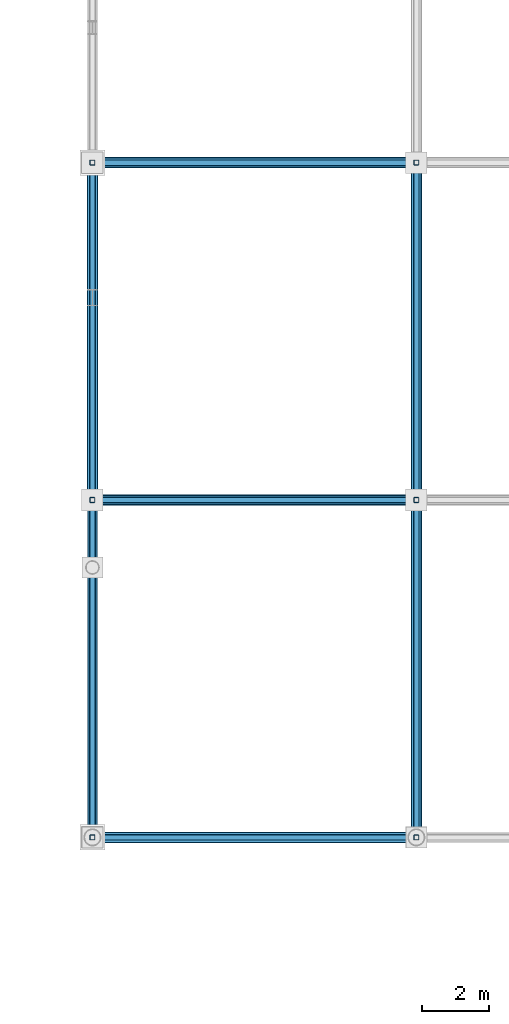
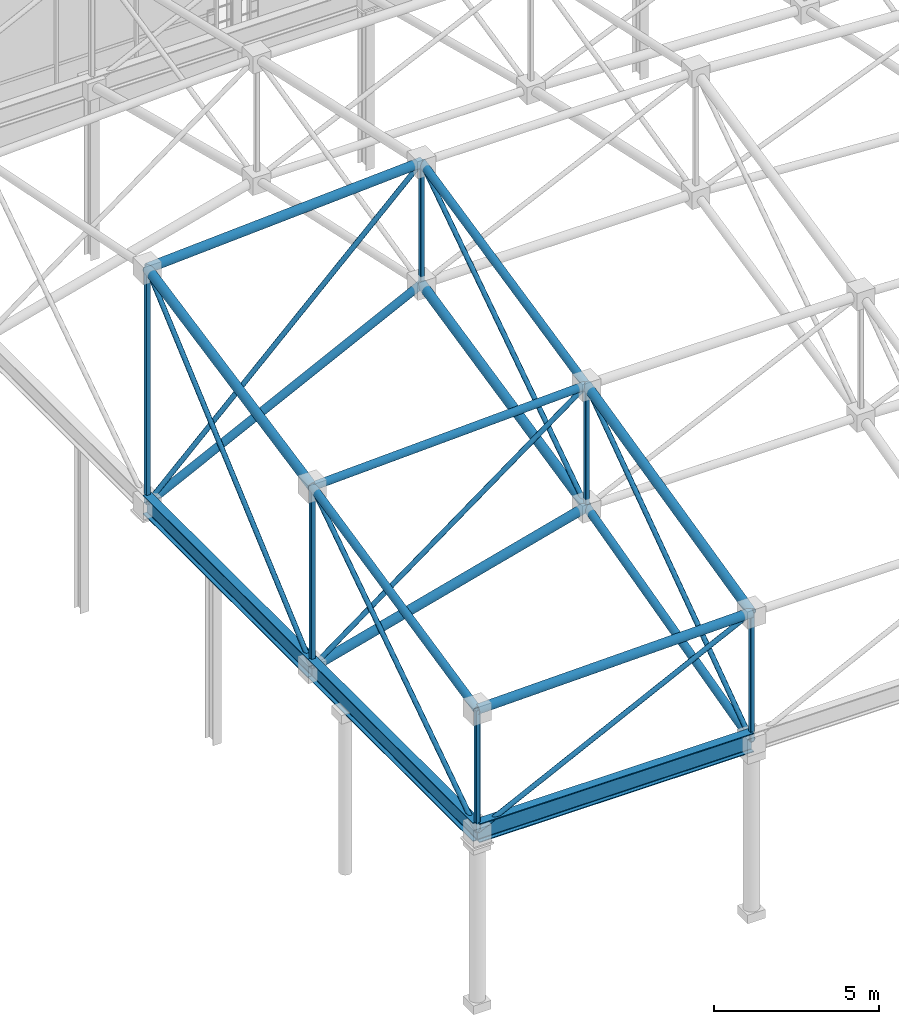
# One storey, part 77 of 193: 24 members, 3 beams.
"""IFC4 building model written with IfcOpenShell, lengths in metres."""

from ifc_helpers import new_model, si_unit, direction, frame, origin, origin_2d, place, context, subcontext, project, spatial, hollow_rectangle, hollow_circle, i_section, extrude, material, material_profile, profile_set, type_object, element, save


model = new_model("IFC4")

# Units and contexts
model_context = context("Model", 3, precision=1e-05, world=origin(), true_north=direction((0.0, 1.0)))
body_context = subcontext(model_context, "Body", "Model", "MODEL_VIEW")
ifc_project = project(units=[si_unit("LENGTHUNIT", "METRE"), si_unit("AREAUNIT", "SQUARE_METRE"), si_unit("VOLUMEUNIT", "CUBIC_METRE"), si_unit("PLANEANGLEUNIT", "RADIAN"), si_unit("MASSUNIT", "GRAM", prefix="KILO")], contexts=[model_context])

# Site, building, storey
site_placement = place(None, origin())
site = spatial("IfcSite", under=ifc_project, at=site_placement, CompositionType="ELEMENT")
building_placement = place(site_placement, origin())
building = spatial("IfcBuilding", under=site, at=building_placement, Name="Danafjord Basin Convention Centre", CompositionType="ELEMENT")
storey_placement = place(building_placement, frame((0.0, 0.0, 11.39990234375)))
storey = spatial("IfcBuildingStorey", under=building, at=storey_placement, Name="L02", CompositionType="ELEMENT", Elevation=11.39990234375)

# Beams
ifc_material = material(Name="Steel S355", Category="steel")
ifc_material_profile_1 = material_profile(ifc_material, i_section(OverallWidth=0.300048828125, OverallDepth=0.699951171875, WebThickness=0.01708984375, FlangeThickness=0.031982421875, FilletRadius=0.027099609375, at=origin_2d()), Name="HEB 700")
ifc_profile_set_1 = profile_set([ifc_material_profile_1], Name="Steel S355")
beam_type = type_object("IfcBeamType", Name="BEAM-BM-HEB700", PredefinedType="BEAM", material=ifc_profile_set_1)
beam_placement = place(storey_placement, frame((144.0, 40.0, 6.35009765625), z_axis=(1.0, 0.0, 0.0), x_axis=(0.0, 1.0, 0.0)))
element("IfcBeam", 1, at=beam_placement, inside=storey, type_object=beam_type, Name="V3 space-frame perimeter ring girder", PredefinedType="BEAM", context=body_context, shape_type="SweptSolid", body=[
    extrude(i_section(OverallWidth=0.300048828125, OverallDepth=0.699951171875, WebThickness=0.01708984375, FlangeThickness=0.031982421875, FilletRadius=0.027099609375, at=origin_2d()), origin(), (0.0, 0.0, 1.0), 9.60009765625),
])
for number, where, z_axis, x_axis, name in (
    (2, (144.0, 40.0, 6.35009765625), (0.0, 1.0, 0.0), (-1.0, 0.0, 0.0), "V3 space-frame perimeter ring girder"),
    (3, (144.0, 50.0, 6.35009765625), (0.0, 1.0, 0.0), (-1.0, 0.0, 0.0), "V3 space-frame perimeter ring girder"),
):
    element("IfcBeam", number, at=place(storey_placement, frame(where, z_axis=z_axis, x_axis=x_axis)), inside=storey, type_object=beam_type, Name=name, PredefinedType="BEAM", context=body_context, shape_type="SweptSolid", body=[
        extrude(i_section(OverallWidth=0.300048828125, OverallDepth=0.699951171875, WebThickness=0.01708984375, FlangeThickness=0.031982421875, FilletRadius=0.027099609375, at=origin_2d()), origin(), (0.0, 0.0, 1.0), 10.0),
    ])

# Members
ifc_material_profile_2 = material_profile(ifc_material, hollow_circle(Radius=0.136474609375, WallThickness=0.012451171875, at=origin_2d()), Name="CHS 273.0x12.5")
ifc_profile_set_2 = profile_set([ifc_material_profile_2], Name="Steel S355")
member_type_1 = type_object("IfcMemberType", Name="MEM-CH-CHS273", PredefinedType="CHORD", material=ifc_profile_set_2)
member_1_placement = place(storey_placement, frame((144.0, 40.0, 10.85009765625), z_axis=(0.0, 0.976969675801, 0.213378191399), x_axis=(-1.0, 0.0, 0.0)))
element("IfcMember", 4, at=member_1_placement, inside=storey, type_object=member_type_1, Name="V3 roof truss transverse top chord", PredefinedType="CHORD", context=body_context, shape_type="SweptSolid", body=[
    extrude(hollow_circle(Radius=0.136474609375, WallThickness=0.012451171875, at=origin_2d()), origin(), (0.0, 0.0, 1.0), 10.23583984375),
])
member_2_placement = place(storey_placement, frame((144.0, 50.0, 13.0341796875), z_axis=(0.999159728014, 0.0, 0.040985825779), x_axis=(0.0, 1.0, 0.0)))
element("IfcMember", 5, at=member_2_placement, inside=storey, type_object=member_type_1, Name="V3 roof truss longitudinal top chord", PredefinedType="CHORD", context=body_context, shape_type="SweptSolid", body=[
    extrude(hollow_circle(Radius=0.136474609375, WallThickness=0.012451171875, at=origin_2d()), origin(), (0.0, 0.0, 1.0), 9.608154296875),
])
member_3_placement = place(storey_placement, frame((144.0, 60.0, 6.35009765625), z_axis=(0.895826146443, 0.0, 0.444404675211), x_axis=(0.0, 1.0, 0.0)))
element("IfcMember", 6, at=member_3_placement, inside=storey, type_object=member_type_1, Name="V3 roof truss longitudinal bottom chord", PredefinedType="CHORD", context=body_context, shape_type="SweptSolid", body=[
    extrude(hollow_circle(Radius=0.136474609375, WallThickness=0.012451171875, at=origin_2d()), origin(), (0.0, 0.0, 1.0), 10.716552734375),
])
member_4_placement = place(storey_placement, frame((153.60009765625, 40.0, 6.35009765625), z_axis=(0.0, 0.968342056441, 0.249627045263), x_axis=(-1.0, 0.0, 0.0)))
element("IfcMember", 7, at=member_4_placement, inside=storey, type_object=member_type_1, Name="V3 roof truss transverse bottom chord", PredefinedType="CHORD", context=body_context, shape_type="SweptSolid", body=[
    extrude(hollow_circle(Radius=0.136474609375, WallThickness=0.012451171875, at=origin_2d()), origin(), (0.0, 0.0, 1.0), 10.326904296875),
])
member_5_placement = place(storey_placement, frame((153.60009765625, 50.0, 13.427978515625), z_axis=(0.0, 0.976959730358, 0.213423722345), x_axis=(-1.0, 0.0, 0.0)))
element("IfcMember", 8, at=member_5_placement, inside=storey, type_object=member_type_1, Name="V3 roof truss transverse top chord", PredefinedType="CHORD", context=body_context, shape_type="SweptSolid", body=[
    extrude(hollow_circle(Radius=0.136474609375, WallThickness=0.012451171875, at=origin_2d()), origin(), (0.0, 0.0, 1.0), 10.23583984375),
])
ifc_material_profile_3 = material_profile(ifc_material, hollow_circle(Radius=0.161865234375, WallThickness=0.01611328125, at=origin_2d()), Name="CHS 323.9x16.0")
ifc_profile_set_3 = profile_set([ifc_material_profile_3], Name="Steel S355")
member_type_2 = type_object("IfcMemberType", Name="MEM-CH-CHS324", PredefinedType="CHORD", material=ifc_profile_set_3)
member_6_placement = place(storey_placement, frame((144.0, 40.0, 10.85009765625), z_axis=(0.999725222215, 0.0, 0.023440991172), x_axis=(0.0, 1.0, 0.0)))
element("IfcMember", 9, at=member_6_placement, inside=storey, type_object=member_type_2, Name="V3 roof truss longitudinal top chord", PredefinedType="CHORD", context=body_context, shape_type="SweptSolid", body=[
    extrude(hollow_circle(Radius=0.161865234375, WallThickness=0.01611328125, at=origin_2d()), origin(), (0.0, 0.0, 1.0), 9.602783203125),
])
member_7_placement = place(storey_placement, frame((144.0, 50.0, 6.35009765625), z_axis=(0.965786291325, 0.0, 0.259339236308), x_axis=(0.0, 1.0, 0.0)))
element("IfcMember", 10, at=member_7_placement, inside=storey, type_object=member_type_2, Name="V3 roof truss longitudinal bottom chord", PredefinedType="CHORD", context=body_context, shape_type="SweptSolid", body=[
    extrude(hollow_circle(Radius=0.161865234375, WallThickness=0.01611328125, at=origin_2d()), origin(), (0.0, 0.0, 1.0), 9.940185546875),
])
member_8_placement = place(storey_placement, frame((144.0, 50.0, 13.0341796875), z_axis=(0.0, 0.980280377013, 0.197611696118), x_axis=(-1.0, 0.0, 0.0)))
element("IfcMember", 11, at=member_8_placement, inside=storey, type_object=member_type_2, Name="V3 roof truss transverse top chord", PredefinedType="CHORD", context=body_context, shape_type="SweptSolid", body=[
    extrude(hollow_circle(Radius=0.161865234375, WallThickness=0.01611328125, at=origin_2d()), origin(), (0.0, 0.0, 1.0), 10.201171875),
])
member_9_placement = place(storey_placement, frame((144.0, 60.0, 15.050048828125), z_axis=(0.998287828511, 0.0, 0.058492832432), x_axis=(0.0, 1.0, 0.0)))
element("IfcMember", 12, at=member_9_placement, inside=storey, type_object=member_type_2, Name="V3 roof truss longitudinal top chord", PredefinedType="CHORD", context=body_context, shape_type="SweptSolid", body=[
    extrude(hollow_circle(Radius=0.161865234375, WallThickness=0.01611328125, at=origin_2d()), origin(), (0.0, 0.0, 1.0), 9.616455078125),
])
member_10_placement = place(storey_placement, frame((153.60009765625, 40.0, 11.0751953125), z_axis=(0.0, 0.97342059664, 0.229024762935), x_axis=(-1.0, 0.0, 0.0)))
element("IfcMember", 13, at=member_10_placement, inside=storey, type_object=member_type_2, Name="V3 roof truss transverse top chord", PredefinedType="CHORD", context=body_context, shape_type="SweptSolid", body=[
    extrude(hollow_circle(Radius=0.161865234375, WallThickness=0.01611328125, at=origin_2d()), origin(), (0.0, 0.0, 1.0), 10.27294921875),
])
member_11_placement = place(storey_placement, frame((153.60009765625, 50.0, 8.927978515625), z_axis=(0.0, 0.976959730358, 0.213423722345), x_axis=(-1.0, 0.0, 0.0)))
element("IfcMember", 14, at=member_11_placement, inside=storey, type_object=member_type_2, Name="V3 roof truss transverse bottom chord", PredefinedType="CHORD", context=body_context, shape_type="SweptSolid", body=[
    extrude(hollow_circle(Radius=0.161865234375, WallThickness=0.01611328125, at=origin_2d()), origin(), (0.0, 0.0, 1.0), 10.23583984375),
])
ifc_material_profile_4 = material_profile(ifc_material, hollow_rectangle(XDim=0.14990234375, YDim=0.14990234375, WallThickness=0.008056640625, InnerFilletRadius=0.011962890625, OuterFilletRadius=0.02001953125, at=origin_2d()), Name="SHS 150x150x8.0")
ifc_profile_set_4 = profile_set([ifc_material_profile_4], Name="Steel S355")
member_type_3 = type_object("IfcMemberType", Name="MEM-ST-SHS150", PredefinedType="STRUT", material=ifc_profile_set_4)
member_12_placement = place(storey_placement, frame((144.0, 40.0, 6.35009765625), z_axis=(0.0, 0.0, 1.0), x_axis=(1.0, 0.0, 0.0)))
element("IfcMember", 15, at=member_12_placement, inside=storey, type_object=member_type_3, Name="V3 roof truss vertical strut", PredefinedType="STRUT", context=body_context, shape_type="SweptSolid", body=[
    extrude(hollow_rectangle(XDim=0.14990234375, YDim=0.14990234375, WallThickness=0.008056640625, InnerFilletRadius=0.011962890625, OuterFilletRadius=0.02001953125, at=origin_2d()), origin(), (0.0, 0.0, 1.0), 4.5),
])
member_13_placement = place(storey_placement, frame((144.0, 50.0, 6.35009765625), z_axis=(0.0, 0.0, 1.0), x_axis=(1.0, 0.0, 0.0)))
element("IfcMember", 16, at=member_13_placement, inside=storey, type_object=member_type_3, Name="V3 roof truss vertical strut", PredefinedType="STRUT", context=body_context, shape_type="SweptSolid", body=[
    extrude(hollow_rectangle(XDim=0.14990234375, YDim=0.14990234375, WallThickness=0.008056640625, InnerFilletRadius=0.011962890625, OuterFilletRadius=0.02001953125, at=origin_2d()), origin(), (0.0, 0.0, 1.0), 6.68408203125),
])
member_14_placement = place(storey_placement, frame((144.0, 60.0, 6.35009765625), z_axis=(0.0, 0.0, 1.0), x_axis=(1.0, 0.0, 0.0)))
element("IfcMember", 17, at=member_14_placement, inside=storey, type_object=member_type_3, Name="V3 roof truss vertical strut", PredefinedType="STRUT", context=body_context, shape_type="SweptSolid", body=[
    extrude(hollow_rectangle(XDim=0.14990234375, YDim=0.14990234375, WallThickness=0.008056640625, InnerFilletRadius=0.011962890625, OuterFilletRadius=0.02001953125, at=origin_2d()), origin(), (0.0, 0.0, 1.0), 8.699951171875),
])
member_15_placement = place(storey_placement, frame((153.60009765625, 40.0, 6.35009765625), z_axis=(0.0, 0.0, 1.0), x_axis=(1.0, 0.0, 0.0)))
element("IfcMember", 18, at=member_15_placement, inside=storey, type_object=member_type_3, Name="V3 roof truss vertical strut", PredefinedType="STRUT", context=body_context, shape_type="SweptSolid", body=[
    extrude(hollow_rectangle(XDim=0.14990234375, YDim=0.14990234375, WallThickness=0.008056640625, InnerFilletRadius=0.011962890625, OuterFilletRadius=0.02001953125, at=origin_2d()), origin(), (0.0, 0.0, 1.0), 4.72509765625),
])
for number, where, z_axis, x_axis, name in (
    (19, (153.60009765625, 50.0, 8.927978515625), (0.0, 0.0, 1.0), (1.0, 0.0, 0.0), "V3 roof truss vertical strut"),
    (20, (153.60009765625, 60.0, 11.112548828125), (0.0, 0.0, 1.0), (1.0, 0.0, 0.0), "V3 roof truss vertical strut"),
):
    element("IfcMember", number, at=place(storey_placement, frame(where, z_axis=z_axis, x_axis=x_axis)), inside=storey, type_object=member_type_3, Name=name, PredefinedType="STRUT", context=body_context, shape_type="SweptSolid", body=[
        extrude(hollow_rectangle(XDim=0.14990234375, YDim=0.14990234375, WallThickness=0.008056640625, InnerFilletRadius=0.011962890625, OuterFilletRadius=0.02001953125, at=origin_2d()), origin(), (0.0, 0.0, 1.0), 4.5),
    ])
ifc_material_profile_5 = material_profile(ifc_material, hollow_circle(Radius=0.084228515625, WallThickness=0.008056640625, at=origin_2d()), Name="CHS 168.3x8.0")
ifc_profile_set_5 = profile_set([ifc_material_profile_5], Name="Steel S355")
member_type_4 = type_object("IfcMemberType", Name="MEM-WB-CHS168", PredefinedType="MEMBER", material=ifc_profile_set_5)
member_16_placement = place(storey_placement, frame((144.0, 40.0, 6.35009765625), z_axis=(0.897211568117, 0.0, 0.441600953393), x_axis=(0.0, 1.0, 0.0)))
element("IfcMember", 21, at=member_16_placement, inside=storey, type_object=member_type_4, Name="V3 space-frame longitudinal web", PredefinedType="MEMBER", context=body_context, shape_type="SweptSolid", body=[
    extrude(hollow_circle(Radius=0.084228515625, WallThickness=0.008056640625, at=origin_2d()), origin(), (0.0, 0.0, 1.0), 10.699951171875),
])
member_17_placement = place(storey_placement, frame((144.0, 40.0, 6.35009765625), z_axis=(0.0, 0.831381437741, 0.555702172912), x_axis=(-1.0, 0.0, 0.0)))
element("IfcMember", 22, at=member_17_placement, inside=storey, type_object=member_type_4, Name="V3 space-frame transverse web", PredefinedType="MEMBER", context=body_context, shape_type="SweptSolid", body=[
    extrude(hollow_circle(Radius=0.084228515625, WallThickness=0.008056640625, at=origin_2d()), origin(), (0.0, 0.0, 1.0), 12.028076171875),
])
member_18_placement = place(storey_placement, frame((144.0, 50.0, 6.35009765625), z_axis=(0.804890655932, 0.0, 0.593423147503), x_axis=(0.0, 1.0, 0.0)))
element("IfcMember", 23, at=member_18_placement, inside=storey, type_object=member_type_4, Name="V3 space-frame longitudinal web", PredefinedType="MEMBER", context=body_context, shape_type="SweptSolid", body=[
    extrude(hollow_circle(Radius=0.084228515625, WallThickness=0.008056640625, at=origin_2d()), origin(), (0.0, 0.0, 1.0), 11.92724609375),
])
member_19_placement = place(storey_placement, frame((144.0, 50.0, 6.35009765625), z_axis=(0.0, 0.754444902764, 0.656363381591), x_axis=(-1.0, 0.0, 0.0)))
element("IfcMember", 24, at=member_19_placement, inside=storey, type_object=member_type_4, Name="V3 space-frame transverse web", PredefinedType="MEMBER", context=body_context, shape_type="SweptSolid", body=[
    extrude(hollow_circle(Radius=0.084228515625, WallThickness=0.008056640625, at=origin_2d()), origin(), (0.0, 0.0, 1.0), 13.2548828125),
])
member_20_placement = place(storey_placement, frame((144.0, 60.0, 6.35009765625), z_axis=(0.719648962933, 0.0, 0.694338080584), x_axis=(0.0, 1.0, 0.0)))
element("IfcMember", 25, at=member_20_placement, inside=storey, type_object=member_type_4, Name="V3 space-frame longitudinal web", PredefinedType="MEMBER", context=body_context, shape_type="SweptSolid", body=[
    extrude(hollow_circle(Radius=0.084228515625, WallThickness=0.008056640625, at=origin_2d()), origin(), (0.0, 0.0, 1.0), 13.340087890625),
])
member_21_placement = place(storey_placement, frame((153.60009765625, 40.0, 6.35009765625), z_axis=(0.0, 0.816234346661, 0.5777209459), x_axis=(-1.0, 0.0, 0.0)))
element("IfcMember", 26, at=member_21_placement, inside=storey, type_object=member_type_4, Name="V3 space-frame transverse web", PredefinedType="MEMBER", context=body_context, shape_type="SweptSolid", body=[
    extrude(hollow_circle(Radius=0.084228515625, WallThickness=0.008056640625, at=origin_2d()), origin(), (0.0, 0.0, 1.0), 12.25146484375),
])
member_22_placement = place(storey_placement, frame((153.60009765625, 50.0, 8.927978515625), z_axis=(0.0, 0.831362682876, 0.555730230887), x_axis=(-1.0, 0.0, 0.0)))
element("IfcMember", 27, at=member_22_placement, inside=storey, type_object=member_type_4, Name="V3 space-frame transverse web", PredefinedType="MEMBER", context=body_context, shape_type="SweptSolid", body=[
    extrude(hollow_circle(Radius=0.084228515625, WallThickness=0.008056640625, at=origin_2d()), origin(), (0.0, 0.0, 1.0), 12.028564453125),
])

save(model, "model.ifc")
